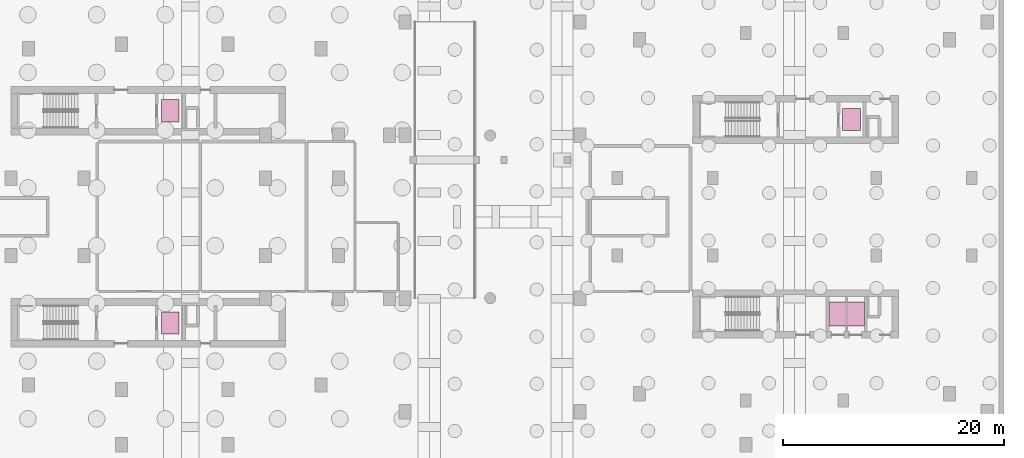
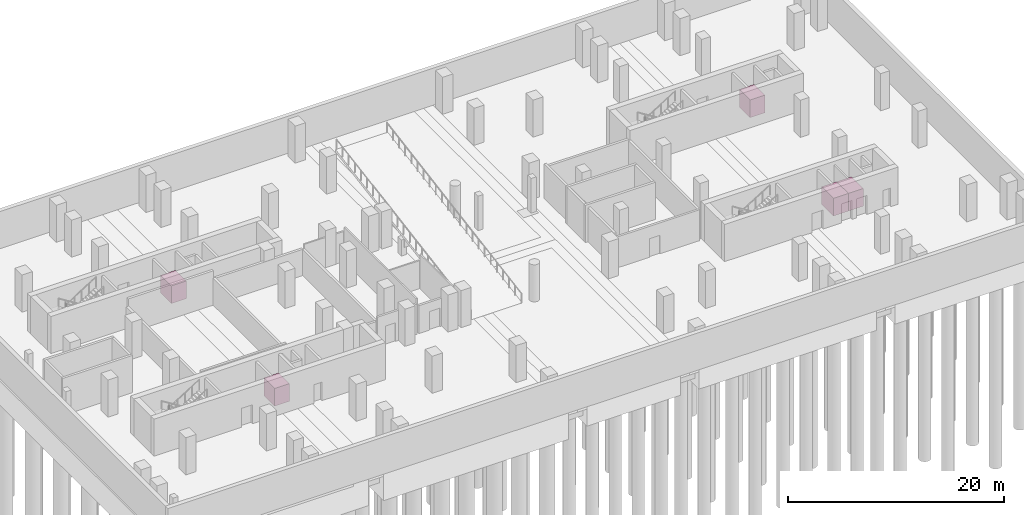
# One storey, part 14 of 14: 5 transport elements.
"""IFC4 building model written with IfcOpenShell, lengths in metres."""

from ifc_helpers import new_model, si_unit, derived_unit, direction, frame, origin, origin_2d, place, context, subcontext, project, spatial, rectangle, extrude, material, type_object, element, save


model = new_model("IFC4")

# Units and contexts
model_context = context("Model", 3, precision=1e-05, world=origin(), true_north=direction((0.0, 1.0)))
body_context = subcontext(model_context, "Body", "Model", "MODEL_VIEW")
ifc_project = project(units=[si_unit("LENGTHUNIT", "METRE"), si_unit("AREAUNIT", "SQUARE_METRE"), si_unit("VOLUMEUNIT", "CUBIC_METRE"), si_unit("PLANEANGLEUNIT", "RADIAN"), si_unit("MASSUNIT", "GRAM", prefix="KILO"), derived_unit("THERMALTRANSMITTANCEUNIT", [(si_unit("POWERUNIT", "WATT"), 1), (si_unit("LENGTHUNIT", "METRE"), -2), (si_unit("THERMODYNAMICTEMPERATUREUNIT", "KELVIN"), -1)])], contexts=[model_context])

# Site, building, storey
site_placement = place(None, origin())
site = spatial("IfcSite", under=ifc_project, at=site_placement, CompositionType="ELEMENT")
building_placement = place(site_placement, origin())
building = spatial("IfcBuilding", under=site, at=building_placement, Name="Kivonza Crest Hotel", CompositionType="ELEMENT")
storey_placement = place(building_placement, frame((0.0, 0.0, -8.39990234375)))
storey = spatial("IfcBuildingStorey", under=building, at=storey_placement, Name="B2", CompositionType="ELEMENT", Elevation=-8.39990234375)

# Transport elements
ifc_material = material(Name="Brushed stainless steel lift car enclosure", Category="steel")
transport_element_type_1 = type_object("IfcTransportElementType", Name="LF-T1-FFL", PredefinedType="ELEVATOR", material=ifc_material)
for number, where, z_axis, x_axis, name in (
    (1, (20.60009765625, 34.580078125, 0.199951171875), (0.0, 0.0, 1.0), (1.0, 0.0, 0.0), "Hotel North Firefighting and Stretcher Lift FFL-T1-N"),
    (2, (20.60009765625, 15.419921875, 0.199951171875), (0.0, 0.0, 1.0), (1.0, 0.0, 0.0), "Hotel South Firefighting and Stretcher Lift FFL-T1-S"),
):
    element("IfcTransportElement", number, at=place(storey_placement, frame(where, z_axis=z_axis, x_axis=x_axis)), inside=storey, type_object=transport_element_type_1, Name=name, PredefinedType="ELEVATOR", context=body_context, shape_type="SweptSolid", body=[
        extrude(rectangle(XDim=1.60009765625, YDim=2.0, at=origin_2d()), origin(), (0.0, 0.0, 1.0), 2.0),
    ])
transport_element_type_2 = type_object("IfcTransportElementType", Name="LF-T2-FFL", PredefinedType="ELEVATOR", material=ifc_material)
transport_element_placement = place(storey_placement, frame((82.14990234375, 33.780029296875, 0.199951171875), z_axis=(0.0, 0.0, 1.0), x_axis=(1.0, 0.0, 0.0)))
element("IfcTransportElement", 3, at=transport_element_placement, inside=storey, type_object=transport_element_type_2, Name="Companion Firefighting and Service Lift FFL-T2", PredefinedType="ELEVATOR", context=body_context, shape_type="SweptSolid", body=[
    extrude(rectangle(XDim=1.60009765625, YDim=2.0, at=origin_2d()), origin(), (0.0, 0.0, 1.0), 2.0),
])
transport_element_type_3 = type_object("IfcTransportElementType", Name="LF-T2-PAS", PredefinedType="ELEVATOR", material=ifc_material)
for number, where, z_axis, x_axis, name in (
    (4, (80.89990234375, 16.219970703125, 0.199951171875), (0.0, 0.0, 1.0), (1.0, 0.0, 0.0), "Companion Residential Passenger Lift PL-T2-1"),
    (5, (82.5, 16.219970703125, 0.199951171875), (0.0, 0.0, 1.0), (1.0, 0.0, 0.0), "Companion Residential Passenger Lift PL-T2-2"),
):
    element("IfcTransportElement", number, at=place(storey_placement, frame(where, z_axis=z_axis, x_axis=x_axis)), inside=storey, type_object=transport_element_type_3, Name=name, PredefinedType="ELEVATOR", context=body_context, shape_type="SweptSolid", body=[
        extrude(rectangle(XDim=1.60009765625, YDim=2.199951171875, at=origin_2d()), origin(), (0.0, 0.0, 1.0), 2.0),
    ])

save(model, "model.ifc")
